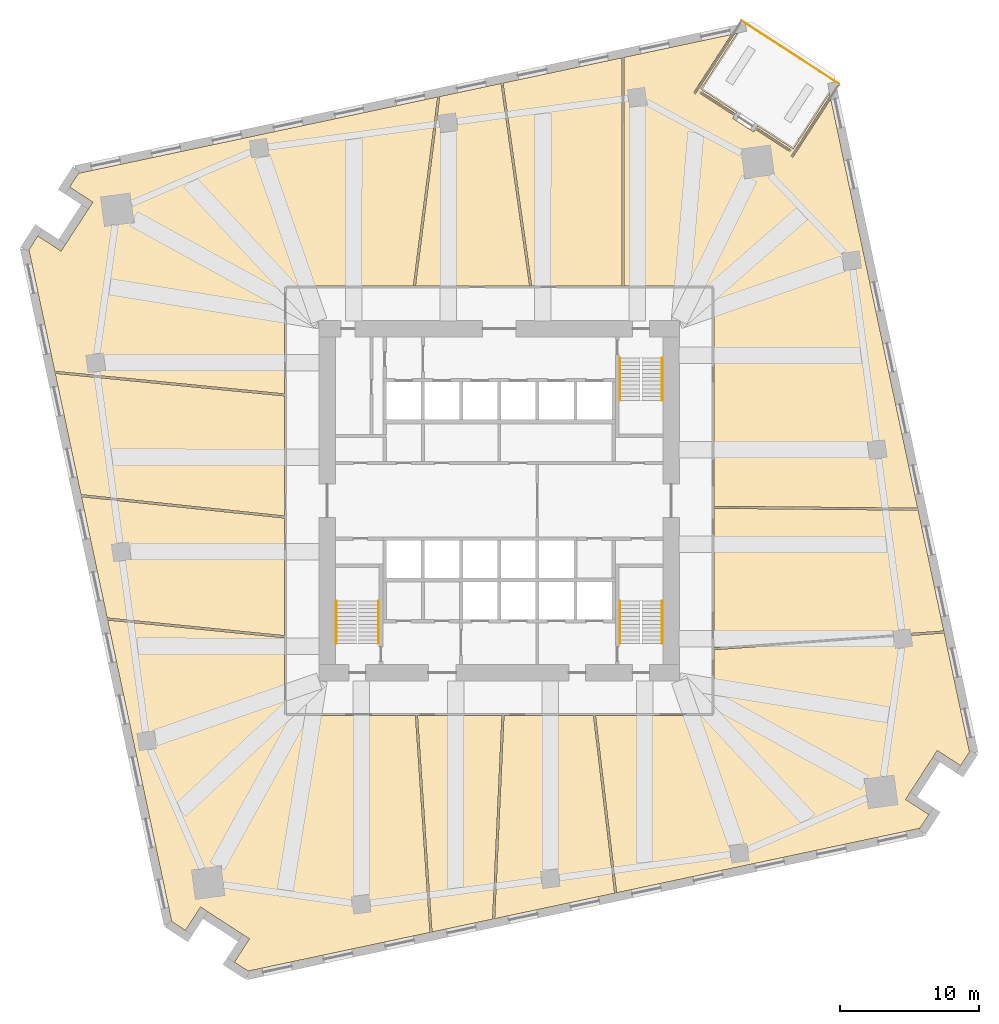
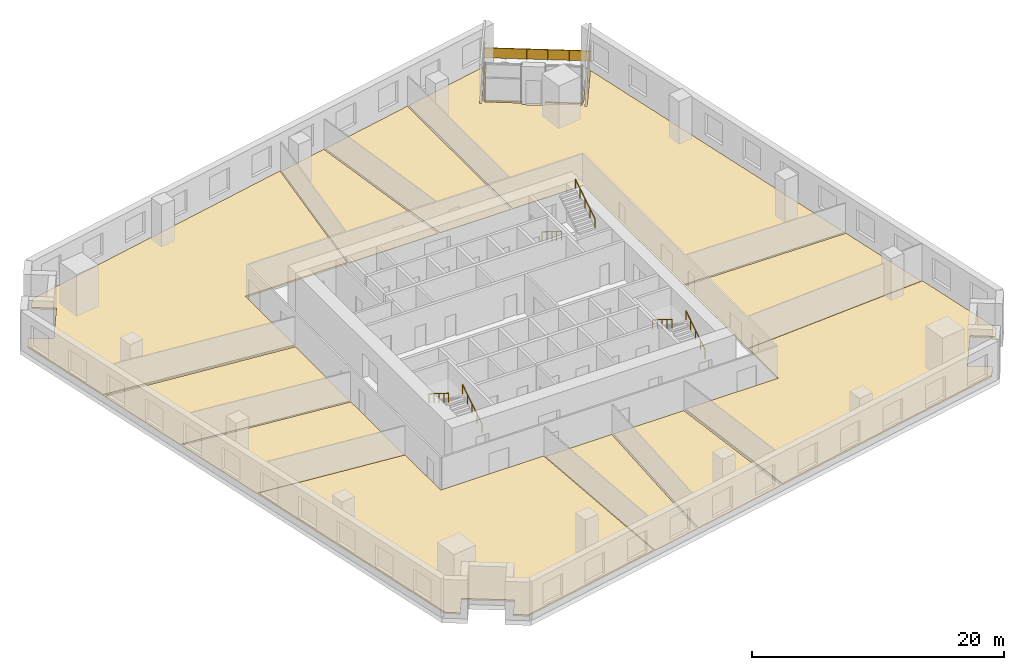
# One storey, part 9 of 10: 11 coverings, 7 railings.
"""IFC4 building model written with IfcOpenShell, lengths in metres."""

from ifc_helpers import new_model, si_unit, direction, frame, origin, origin_2d, place, context, subcontext, project, spatial, polyline, rectangle, circle, outline, extrude, material, layer, layer_set, type_object, element, save


model = new_model("IFC4")

# Units and contexts
model_context = context("Model", 3, precision=1e-05, world=origin(), true_north=direction((0.0, 1.0)))
body_context = subcontext(model_context, "Body", "Model", "MODEL_VIEW")
ifc_project = project(units=[si_unit("LENGTHUNIT", "METRE"), si_unit("AREAUNIT", "SQUARE_METRE"), si_unit("VOLUMEUNIT", "CUBIC_METRE"), si_unit("PLANEANGLEUNIT", "RADIAN"), si_unit("MASSUNIT", "GRAM", prefix="KILO")], contexts=[model_context])

# Site, building, storey
site_placement = place(None, origin())
site = spatial("IfcSite", under=ifc_project, at=site_placement, CompositionType="ELEMENT")
building_placement = place(site_placement, origin())
building = spatial("IfcBuilding", under=site, at=building_placement, Name="Dilmun Exchange Tower", CompositionType="ELEMENT")
storey_placement = place(building_placement, frame((0.0, 0.0, 68.10009765625)))
storey = spatial("IfcBuildingStorey", under=building, at=storey_placement, Name="L15", CompositionType="ELEMENT", Elevation=68.10009765625)

# Coverings
ifc_material_1 = material(Name="Carpet floor finish 50")
ifc_layer_1 = layer(ifc_material_1, 0.050048828125)
ifc_layer_set_1 = layer_set([ifc_layer_1], Name="Carpet floor finish 50")
covering_type_1 = type_object("IfcCoveringType", Name="Carpet floor finish 50", PredefinedType="FLOORING", material=ifc_layer_set_1)
covering_1_placement = place(storey_placement, origin())
element("IfcCovering", 1, at=covering_1_placement, inside=storey, type_object=covering_type_1, Name="Carpet floor finish 50 Clearing office 1", PredefinedType="FLOORING", context=body_context, shape_type="SweptSolid", body=[
    extrude(outline(polyline([(-15.47509765625, -1.09521484375), (-30.14892578125, 0.443603515625), (-32.007080078125, 9.185546875), (-15.47509765625, 7.555419921875), (-15.47509765625, -1.09521484375)])), origin(), (0.0, 0.0, 1.0), 0.0498046875),
])
covering_2_placement = place(storey_placement, origin())
element("IfcCovering", 2, at=covering_2_placement, inside=storey, type_object=covering_type_1, Name="Carpet floor finish 50 Broker office 1", PredefinedType="FLOORING", context=body_context, shape_type="SweptSolid", body=[
    extrude(outline(polyline([(-15.47509765625, -9.7197265625), (-28.259521484375, -8.4453125), (-30.1162109375, 0.289306640625), (-15.47509765625, -1.245849609375), (-15.47509765625, -9.7197265625)])), origin(), (0.0, 0.0, 1.0), 0.0498046875),
])
covering_3_placement = place(storey_placement, origin())
element("IfcCovering", 3, at=covering_3_placement, inside=storey, type_object=covering_type_1, Name="Carpet floor finish 50 Clearing office 2", PredefinedType="FLOORING", context=body_context, shape_type="SweptSolid", body=[
    extrude(outline(polyline([(-5.888671875, -15.47509765625), (0.1953125, -15.47509765625), (-0.4794921875, -30.156494140625), (-4.843994140625, -31.08447265625), (-5.888671875, -15.47509765625)])), origin(), (0.0, 0.0, 1.0), 0.0498046875),
])
covering_4_placement = place(storey_placement, origin())
element("IfcCovering", 4, at=covering_4_placement, inside=storey, type_object=covering_type_1, Name="Carpet floor finish 50 Settlement office", PredefinedType="FLOORING", context=body_context, shape_type="SweptSolid", body=[
    extrude(outline(polyline([(2.189453125, 15.47509765625), (-6.03759765625, 15.47509765625), (-4.28369140625, 29.144287109375), (0.130615234375, 30.08251953125), (2.189453125, 15.47509765625)])), origin(), (0.0, 0.0, 1.0), 0.0498046875),
])
covering_5_placement = place(storey_placement, origin())
element("IfcCovering", 5, at=covering_5_placement, inside=storey, type_object=covering_type_1, Name="Carpet floor finish 50 Broker office 2", PredefinedType="FLOORING", context=body_context, shape_type="SweptSolid", body=[
    extrude(outline(polyline([(6.79052734375, -15.47509765625), (8.31591796875, -28.287109375), (-0.32763671875, -30.12451171875), (0.345703125, -15.47509765625), (6.79052734375, -15.47509765625)])), origin(), (0.0, 0.0, 1.0), 0.0498046875),
])
covering_6_placement = place(storey_placement, origin())
element("IfcCovering", 6, at=covering_6_placement, inside=storey, type_object=covering_type_1, Name="Carpet floor finish 50 Broker office 3", PredefinedType="FLOORING", context=body_context, shape_type="SweptSolid", body=[
    extrude(outline(polyline([(2.3408203125, 15.47509765625), (0.277587890625, 30.11376953125), (8.849365234375, 31.935791015625), (8.859375, 15.47509765625), (2.3408203125, 15.47509765625)])), origin(), (0.0, 0.0, 1.0), 0.0498046875),
])
covering_7_placement = place(storey_placement, origin())
element("IfcCovering", 7, at=covering_7_placement, inside=storey, type_object=covering_type_1, Name="Carpet floor finish 50 Garden lounge", PredefinedType="FLOORING", context=body_context, shape_type="SweptSolid", body=[
    extrude(outline(polyline([(14.548095703125, 29.6806640625), (17.116455078125, 28.012939453125), (17.03857421875, 27.89306640625), (14.533203125, 29.52001953125), (14.533203125, 29.52001953125), (14.532958984375, 29.520263671875), (14.53271484375, 29.520263671875), (14.532470703125, 29.520263671875), (14.5322265625, 29.520263671875), (14.531982421875, 29.520263671875), (14.531982421875, 29.520263671875), (14.53173828125, 29.520263671875), (14.531494140625, 29.520263671875), (14.531494140625, 29.52001953125), (14.53125, 29.52001953125), (14.531005859375, 29.52001953125), (14.531005859375, 29.519775390625), (14.53076171875, 29.519775390625), (14.530517578125, 29.51953125), (14.530517578125, 29.519287109375), (14.443359375, 29.38525390625), (14.443359375, 29.385009765625), (14.443115234375, 29.384765625), (14.443115234375, 29.384765625), (14.443115234375, 29.384521484375), (14.443115234375, 29.38427734375), (14.443115234375, 29.384033203125), (14.443115234375, 29.3837890625), (14.443115234375, 29.3837890625), (14.443115234375, 29.383544921875), (14.443115234375, 29.38330078125), (14.443359375, 29.383056640625), (14.443359375, 29.383056640625), (14.443603515625, 29.3828125), (14.443603515625, 29.3828125), (14.44384765625, 29.382568359375), (14.44384765625, 29.38232421875), (16.94921875, 27.755615234375), (16.830322265625, 27.57275390625), (16.830322265625, 27.572509765625), (16.830078125, 27.572265625), (16.830078125, 27.572265625), (16.830078125, 27.572021484375), (16.830078125, 27.57177734375), (16.830078125, 27.571533203125), (16.830078125, 27.5712890625), (16.830078125, 27.5712890625), (16.830078125, 27.571044921875), (16.830322265625, 27.57080078125), (16.830322265625, 27.570556640625), (16.83056640625, 27.570556640625), (16.83056640625, 27.5703125), (16.830810546875, 27.5703125), (16.830810546875, 27.570068359375), (16.8310546875, 27.56982421875), (18.340576171875, 26.589599609375), (18.3408203125, 26.58935546875), (18.341064453125, 26.58935546875), (18.341064453125, 26.58935546875), (18.34130859375, 26.589111328125), (18.341552734375, 26.589111328125), (18.341796875, 26.589111328125), (18.341796875, 26.589111328125), (18.342041015625, 26.589111328125), (18.34228515625, 26.58935546875), (18.342529296875, 26.58935546875), (18.3427734375, 26.589599609375), (18.3427734375, 26.589599609375), (18.343017578125, 26.589599609375), (18.343017578125, 26.58984375), (18.34326171875, 26.590087890625), (18.343505859375, 26.590087890625), (18.462158203125, 26.77294921875), (20.96728515625, 25.14599609375), (20.96728515625, 25.14599609375), (20.967529296875, 25.14599609375), (20.9677734375, 25.14599609375), (20.968017578125, 25.145751953125), (20.96826171875, 25.145751953125), (20.968505859375, 25.145751953125), (20.968505859375, 25.145751953125), (20.96875, 25.145751953125), (20.968994140625, 25.14599609375), (20.968994140625, 25.14599609375), (20.96923828125, 25.14599609375), (20.969482421875, 25.146240234375), (20.969482421875, 25.146240234375), (20.9697265625, 25.146484375), (20.969970703125, 25.146484375), (20.969970703125, 25.146728515625), (21.05712890625, 25.281005859375), (21.05712890625, 25.281005859375), (21.057373046875, 25.28125), (21.057373046875, 25.281494140625), (21.057373046875, 25.281494140625), (21.0576171875, 25.28173828125), (21.0576171875, 25.281982421875), (21.0576171875, 25.2822265625), (21.057373046875, 25.282470703125), (21.057373046875, 25.28271484375), (21.057373046875, 25.28271484375), (21.05712890625, 25.282958984375), (21.05712890625, 25.283203125), (21.056884765625, 25.283203125), (21.056884765625, 25.283447265625), (21.056640625, 25.28369140625), (21.056640625, 25.28369140625), (18.551513671875, 26.910400390625), (18.62939453125, 27.030517578125), (21.197509765625, 25.36279296875), (23.808837890625, 29.38427734375), (23.85107421875, 29.186279296875), (21.03125, 24.844482421875), (21.03125, 24.844482421875), (21.031005859375, 24.84423828125), (21.031005859375, 24.843994140625), (21.031005859375, 24.84375), (21.031005859375, 24.843505859375), (21.031005859375, 24.843505859375), (21.031005859375, 24.84326171875), (21.031005859375, 24.843017578125), (21.031005859375, 24.843017578125), (21.03125, 24.8427734375), (21.03125, 24.842529296875), (21.031494140625, 24.84228515625), (21.031494140625, 24.84228515625), (21.031494140625, 24.842041015625), (21.03173828125, 24.841796875), (21.031982421875, 24.841796875), (21.166015625, 24.754638671875), (21.166259765625, 24.754638671875), (21.16650390625, 24.75439453125), (21.16650390625, 24.75439453125), (21.166748046875, 24.75439453125), (21.1669921875, 24.75439453125), (21.167236328125, 24.75439453125), (21.16748046875, 24.75439453125), (21.16748046875, 24.75439453125), (21.167724609375, 24.75439453125), (21.16796875, 24.75439453125), (21.168212890625, 24.754638671875), (21.168212890625, 24.754638671875), (21.16845703125, 24.7548828125), (21.168701171875, 24.7548828125), (21.168701171875, 24.755126953125), (21.1689453125, 24.755126953125), (23.899169921875, 28.95947265625), (30.167236328125, -0.529052734375), (15.47509765625, -0.395263671875), (15.47509765625, 15.47509765625), (9.00927734375, 15.47509765625), (8.999267578125, 31.967529296875), (16.735107421875, 33.61181640625), (14.0048828125, 29.40771484375), (14.004638671875, 29.407470703125), (14.004638671875, 29.4072265625), (14.004638671875, 29.406982421875), (14.00439453125, 29.40673828125), (14.00439453125, 29.406494140625), (14.00439453125, 29.406494140625), (14.00439453125, 29.40625), (14.00439453125, 29.406005859375), (14.004638671875, 29.406005859375), (14.004638671875, 29.40576171875), (14.0048828125, 29.405517578125), (14.0048828125, 29.4052734375), (14.0048828125, 29.4052734375), (14.005126953125, 29.405029296875), (14.00537109375, 29.40478515625), (14.00537109375, 29.40478515625), (14.1396484375, 29.317626953125), (14.139892578125, 29.317626953125), (14.139892578125, 29.3173828125), (14.14013671875, 29.3173828125), (14.140380859375, 29.3173828125), (14.140380859375, 29.3173828125), (14.140625, 29.3173828125), (14.140869140625, 29.3173828125), (14.14111328125, 29.3173828125), (14.141357421875, 29.3173828125), (14.1416015625, 29.3173828125), (14.1416015625, 29.317626953125), (14.141845703125, 29.317626953125), (14.14208984375, 29.31787109375), (14.14208984375, 29.31787109375), (14.142333984375, 29.318115234375), (14.142333984375, 29.318115234375), (16.9619140625, 33.66015625), (17.159912109375, 33.7021484375), (14.548095703125, 29.6806640625)])), origin(), (0.0, 0.0, 1.0), 0.0498046875),
])
covering_8_placement = place(storey_placement, origin())
element("IfcCovering", 8, at=covering_8_placement, inside=storey, type_object=covering_type_1, Name="Carpet floor finish 50 Broker office 4", PredefinedType="FLOORING", context=body_context, shape_type="SweptSolid", body=[
    extrude(outline(polyline([(15.47509765625, -10.589599609375), (15.47509765625, -0.545166015625), (30.19921875, -0.67919921875), (32.049072265625, -9.3828125), (15.47509765625, -10.589599609375)])), origin(), (0.0, 0.0, 1.0), 0.0498046875),
])
ifc_material_2 = material(Name="Raised access floor 150")
ifc_layer_2 = layer(ifc_material_2, 0.14990234375)
ifc_layer_set_2 = layer_set([ifc_layer_2], Name="Raised access floor 150")
covering_type_2 = type_object("IfcCoveringType", Name="Raised access floor 150", PredefinedType="FLOORING", material=ifc_layer_set_2)
covering_9_placement = place(storey_placement, origin())
element("IfcCovering", 9, at=covering_9_placement, inside=storey, type_object=covering_type_2, Name="Raised access floor 150 Market operations room 1", PredefinedType="FLOORING", context=body_context, shape_type="SweptSolid", body=[
    extrude(outline(polyline([(-6.18896484375, 15.47509765625), (-15.47509765625, 15.47509765625), (-15.47509765625, 7.7060546875), (-32.039794921875, 9.339599609375), (-33.901611328125, 18.09765625), (-33.256591796875, 19.0908203125), (-31.580810546875, 18.00244140625), (-31.580810546875, 18.00244140625), (-31.58056640625, 18.002197265625), (-31.580322265625, 18.002197265625), (-31.580078125, 18.002197265625), (-31.580078125, 18.002197265625), (-31.579833984375, 18.002197265625), (-31.57958984375, 18.002197265625), (-31.579345703125, 18.002197265625), (-31.5791015625, 18.002197265625), (-31.5791015625, 18.00244140625), (-31.578857421875, 18.00244140625), (-31.57861328125, 18.00244140625), (-31.57861328125, 18.002685546875), (-31.578369140625, 18.002685546875), (-31.578125, 18.0029296875), (-31.578125, 18.003173828125), (-31.25146484375, 18.506103515625), (-31.251220703125, 18.50634765625), (-29.617431640625, 21.022216796875), (-29.29052734375, 21.525390625), (-29.29052734375, 21.525634765625), (-29.29052734375, 21.52587890625), (-29.290283203125, 21.52587890625), (-29.290283203125, 21.526123046875), (-29.290283203125, 21.5263671875), (-29.290283203125, 21.526611328125), (-29.290283203125, 21.52685546875), (-29.290283203125, 21.527099609375), (-29.290283203125, 21.527099609375), (-29.29052734375, 21.52734375), (-29.29052734375, 21.527587890625), (-29.290771484375, 21.527587890625), (-29.290771484375, 21.52783203125), (-29.291015625, 21.528076171875), (-29.291015625, 21.5283203125), (-29.291259765625, 21.5283203125), (-30.966796875, 22.616455078125), (-30.322021484375, 23.609619140625), (-4.439208984375, 29.111083984375), (-6.18896484375, 15.47509765625)])), origin(), (0.0, 0.0, 1.0), 0.14990234375),
])
covering_10_placement = place(storey_placement, origin())
element("IfcCovering", 10, at=covering_10_placement, inside=storey, type_object=covering_type_2, Name="Raised access floor 150 Market operations room 2", PredefinedType="FLOORING", context=body_context, shape_type="SweptSolid", body=[
    extrude(outline(polyline([(-15.47509765625, -9.87060546875), (-15.47509765625, -15.47509765625), (-6.0390625, -15.47509765625), (-4.9921875, -31.115966796875), (-18.09765625, -33.901611328125), (-19.0908203125, -33.256591796875), (-18.00244140625, -31.580810546875), (-18.00244140625, -31.580810546875), (-18.002197265625, -31.58056640625), (-18.002197265625, -31.580322265625), (-18.002197265625, -31.580078125), (-18.002197265625, -31.580078125), (-18.002197265625, -31.579833984375), (-18.002197265625, -31.57958984375), (-18.002197265625, -31.579345703125), (-18.002197265625, -31.5791015625), (-18.00244140625, -31.5791015625), (-18.00244140625, -31.578857421875), (-18.00244140625, -31.57861328125), (-18.002685546875, -31.57861328125), (-18.002685546875, -31.578369140625), (-18.0029296875, -31.578125), (-18.003173828125, -31.578125), (-18.506103515625, -31.25146484375), (-18.50634765625, -31.251220703125), (-21.022216796875, -29.617431640625), (-21.525390625, -29.29052734375), (-21.525634765625, -29.29052734375), (-21.52587890625, -29.29052734375), (-21.52587890625, -29.290283203125), (-21.526123046875, -29.290283203125), (-21.5263671875, -29.290283203125), (-21.526611328125, -29.290283203125), (-21.52685546875, -29.290283203125), (-21.527099609375, -29.290283203125), (-21.527099609375, -29.290283203125), (-21.52734375, -29.29052734375), (-21.527587890625, -29.29052734375), (-21.527587890625, -29.290771484375), (-21.52783203125, -29.290771484375), (-21.528076171875, -29.291015625), (-21.5283203125, -29.291015625), (-21.5283203125, -29.291259765625), (-22.616455078125, -30.966796875), (-23.609619140625, -30.322021484375), (-28.226806640625, -8.599365234375), (-15.47509765625, -9.87060546875)])), origin(), (0.0, 0.0, 1.0), 0.14990234375),
])
covering_11_placement = place(storey_placement, origin())
element("IfcCovering", 11, at=covering_11_placement, inside=storey, type_object=covering_type_2, Name="Raised access floor 150 Market operations room 3", PredefinedType="FLOORING", context=body_context, shape_type="SweptSolid", body=[
    extrude(outline(polyline([(6.941650390625, -15.47509765625), (15.47509765625, -15.47509765625), (15.47509765625, -10.739990234375), (32.08056640625, -9.53076171875), (33.901611328125, -18.09765625), (33.256591796875, -19.0908203125), (31.580810546875, -18.00244140625), (31.580810546875, -18.00244140625), (31.58056640625, -18.002197265625), (31.580322265625, -18.002197265625), (31.580078125, -18.002197265625), (31.580078125, -18.002197265625), (31.579833984375, -18.002197265625), (31.57958984375, -18.002197265625), (31.579345703125, -18.002197265625), (31.5791015625, -18.002197265625), (31.5791015625, -18.00244140625), (31.578857421875, -18.00244140625), (31.57861328125, -18.00244140625), (31.57861328125, -18.002685546875), (31.578369140625, -18.002685546875), (31.578125, -18.0029296875), (31.578125, -18.003173828125), (31.25146484375, -18.506103515625), (31.251220703125, -18.50634765625), (29.617431640625, -21.022216796875), (29.29052734375, -21.525390625), (29.29052734375, -21.525634765625), (29.29052734375, -21.52587890625), (29.290283203125, -21.52587890625), (29.290283203125, -21.526123046875), (29.290283203125, -21.5263671875), (29.290283203125, -21.526611328125), (29.290283203125, -21.52685546875), (29.290283203125, -21.527099609375), (29.290283203125, -21.527099609375), (29.29052734375, -21.52734375), (29.29052734375, -21.527587890625), (29.290771484375, -21.527587890625), (29.290771484375, -21.52783203125), (29.291015625, -21.528076171875), (29.291015625, -21.5283203125), (29.291259765625, -21.5283203125), (30.966796875, -22.616455078125), (30.322021484375, -23.609619140625), (8.46337890625, -28.255859375), (6.941650390625, -15.47509765625)])), origin(), (0.0, 0.0, 1.0), 0.14990234375),
])

# Railings
ifc_material_3 = material(Name="Stainless steel", Category="steel")
railing_type_1 = type_object("IfcRailingType", Name="Stair handrail 900", PredefinedType="HANDRAIL", material=ifc_material_3)
railing_1_placement = place(storey_placement, frame((8.699951171875, 10.300048828125, 0.1748046875)))
element("IfcRailing", 12, at=railing_1_placement, inside=storey, type_object=railing_type_1, Name="L15 ST1 stair handrail 1", PredefinedType="HANDRAIL", context=body_context, shape_type="SweptSolid", body=[
    extrude(circle(Radius=0.02392578125, at=origin_2d()), frame((0.0, 0.0, 0.8759765625), z_axis=(0.0, -0.847998304005, 0.529998940003), x_axis=(1.0, 0.0, 0.0)), (0.0, 0.0, 1.0), 3.632080078125),
    extrude(circle(Radius=0.02099609375, at=origin_2d()), origin(), (0.0, 0.0, 1.0), 0.851806640625),
    extrude(circle(Radius=0.02099609375, at=origin_2d()), frame((0.0, -0.77001953125, 0.481201171875)), (0.0, 0.0, 1.0), 0.851806640625),
    extrude(circle(Radius=0.02099609375, at=origin_2d()), frame((0.0, -1.5400390625, 0.96240234375)), (0.0, 0.0, 1.0), 0.851806640625),
    extrude(circle(Radius=0.02099609375, at=origin_2d()), frame((0.0, -2.31005859375, 1.44384765625)), (0.0, 0.0, 1.0), 0.851806640625),
    extrude(circle(Radius=0.02099609375, at=origin_2d()), frame((0.0, -3.080078125, 1.925048828125)), (0.0, 0.0, 1.0), 0.851806640625),
])
for number, where, name in (
    (13, (11.75, 7.219970703125, 2.27490234375), "L15 ST1 stair handrail 2"),
    (14, (-8.699951171875, -10.300048828125, 0.1748046875), "L15 ST2 stair handrail 1"),
):
    element("IfcRailing", number, at=place(storey_placement, frame(where)), inside=storey, type_object=railing_type_1, Name=name, PredefinedType="HANDRAIL", context=body_context, shape_type="SweptSolid", body=[
        extrude(circle(Radius=0.02392578125, at=origin_2d()), frame((0.0, 0.0, 0.8759765625), z_axis=(0.0, 0.847998304005, 0.529998940003), x_axis=(-1.0, 0.0, 0.0)), (0.0, 0.0, 1.0), 3.632080078125),
        extrude(circle(Radius=0.02099609375, at=origin_2d()), origin(), (0.0, 0.0, 1.0), 0.851806640625),
        extrude(circle(Radius=0.02099609375, at=origin_2d()), frame((0.0, 0.77001953125, 0.481201171875)), (0.0, 0.0, 1.0), 0.851806640625),
        extrude(circle(Radius=0.02099609375, at=origin_2d()), frame((0.0, 1.5400390625, 0.96240234375)), (0.0, 0.0, 1.0), 0.851806640625),
        extrude(circle(Radius=0.02099609375, at=origin_2d()), frame((0.0, 2.31005859375, 1.44384765625)), (0.0, 0.0, 1.0), 0.851806640625),
        extrude(circle(Radius=0.02099609375, at=origin_2d()), frame((0.0, 3.080078125, 1.925048828125)), (0.0, 0.0, 1.0), 0.851806640625),
    ])
railing_2_placement = place(storey_placement, frame((-11.75, -7.219970703125, 2.27490234375)))
element("IfcRailing", 15, at=railing_2_placement, inside=storey, type_object=railing_type_1, Name="L15 ST2 stair handrail 2", PredefinedType="HANDRAIL", context=body_context, shape_type="SweptSolid", body=[
    extrude(circle(Radius=0.02392578125, at=origin_2d()), frame((0.0, 0.0, 0.8759765625), z_axis=(0.0, -0.847998304005, 0.529998940003), x_axis=(1.0, 0.0, 0.0)), (0.0, 0.0, 1.0), 3.632080078125),
    extrude(circle(Radius=0.02099609375, at=origin_2d()), origin(), (0.0, 0.0, 1.0), 0.851806640625),
    extrude(circle(Radius=0.02099609375, at=origin_2d()), frame((0.0, -0.77001953125, 0.481201171875)), (0.0, 0.0, 1.0), 0.851806640625),
    extrude(circle(Radius=0.02099609375, at=origin_2d()), frame((0.0, -1.5400390625, 0.96240234375)), (0.0, 0.0, 1.0), 0.851806640625),
    extrude(circle(Radius=0.02099609375, at=origin_2d()), frame((0.0, -2.31005859375, 1.44384765625)), (0.0, 0.0, 1.0), 0.851806640625),
    extrude(circle(Radius=0.02099609375, at=origin_2d()), frame((0.0, -3.080078125, 1.925048828125)), (0.0, 0.0, 1.0), 0.851806640625),
])
railing_3_placement = place(storey_placement, frame((11.75, -10.300048828125, 0.1748046875)))
element("IfcRailing", 16, at=railing_3_placement, inside=storey, type_object=railing_type_1, Name="L15 ST3 stair handrail 1", PredefinedType="HANDRAIL", context=body_context, shape_type="SweptSolid", body=[
    extrude(circle(Radius=0.02392578125, at=origin_2d()), frame((0.0, 0.0, 0.8759765625), z_axis=(0.0, 0.847998304005, 0.529998940003), x_axis=(-1.0, 0.0, 0.0)), (0.0, 0.0, 1.0), 3.632080078125),
    extrude(circle(Radius=0.02099609375, at=origin_2d()), origin(), (0.0, 0.0, 1.0), 0.851806640625),
    extrude(circle(Radius=0.02099609375, at=origin_2d()), frame((0.0, 0.77001953125, 0.481201171875)), (0.0, 0.0, 1.0), 0.851806640625),
    extrude(circle(Radius=0.02099609375, at=origin_2d()), frame((0.0, 1.5400390625, 0.96240234375)), (0.0, 0.0, 1.0), 0.851806640625),
    extrude(circle(Radius=0.02099609375, at=origin_2d()), frame((0.0, 2.31005859375, 1.44384765625)), (0.0, 0.0, 1.0), 0.851806640625),
    extrude(circle(Radius=0.02099609375, at=origin_2d()), frame((0.0, 3.080078125, 1.925048828125)), (0.0, 0.0, 1.0), 0.851806640625),
])
railing_4_placement = place(storey_placement, frame((8.699951171875, -7.219970703125, 2.27490234375)))
element("IfcRailing", 17, at=railing_4_placement, inside=storey, type_object=railing_type_1, Name="L15 ST3 stair handrail 2", PredefinedType="HANDRAIL", context=body_context, shape_type="SweptSolid", body=[
    extrude(circle(Radius=0.02392578125, at=origin_2d()), frame((0.0, 0.0, 0.8759765625), z_axis=(0.0, -0.847998304005, 0.529998940003), x_axis=(1.0, 0.0, 0.0)), (0.0, 0.0, 1.0), 3.632080078125),
    extrude(circle(Radius=0.02099609375, at=origin_2d()), origin(), (0.0, 0.0, 1.0), 0.851806640625),
    extrude(circle(Radius=0.02099609375, at=origin_2d()), frame((0.0, -0.77001953125, 0.481201171875)), (0.0, 0.0, 1.0), 0.851806640625),
    extrude(circle(Radius=0.02099609375, at=origin_2d()), frame((0.0, -1.5400390625, 0.96240234375)), (0.0, 0.0, 1.0), 0.851806640625),
    extrude(circle(Radius=0.02099609375, at=origin_2d()), frame((0.0, -2.31005859375, 1.44384765625)), (0.0, 0.0, 1.0), 0.851806640625),
    extrude(circle(Radius=0.02099609375, at=origin_2d()), frame((0.0, -3.080078125, 1.925048828125)), (0.0, 0.0, 1.0), 0.851806640625),
])
railing_type_2 = type_object("IfcRailingType", Name="Terrace guard 1100 stainless steel", PredefinedType="GUARDRAIL", material=ifc_material_3)
railing_5_placement = place(storey_placement, frame((17.4755859375, 34.601806640625, 0.0)))
element("IfcRailing", 18, at=railing_5_placement, inside=storey, type_object=railing_type_2, Name="Terrace guard 1", PredefinedType="GUARDRAIL", context=body_context, shape_type="SweptSolid", body=[
    extrude(circle(Radius=0.02392578125, at=origin_2d()), frame((0.0, 0.0, 1.076171875), z_axis=(0.838665243045, -0.544647234556, 0.0), x_axis=(0.544647234556, 0.838665243045, 0.0)), (0.0, 0.0, 1.0), 8.37841796875),
    extrude(rectangle(XDim=0.011962890625, YDim=0.951904296875, at=origin_2d()), frame((0.0, 0.0, 0.576171875), z_axis=(0.838665243045, -0.544647234556, 0.0), x_axis=(0.544647234556, 0.838665243045, 0.0)), (0.0, 0.0, 1.0), 8.37841796875),
    extrude(circle(Radius=0.02099609375, at=origin_2d()), origin(), (0.0, 0.0, 1.0), 1.052001953125),
    extrude(circle(Radius=0.02099609375, at=origin_2d()), frame((1.4052734375, -0.91259765625, 0.0)), (0.0, 0.0, 1.0), 1.052001953125),
    extrude(circle(Radius=0.02099609375, at=origin_2d()), frame((2.810546875, -1.8251953125, 0.0)), (0.0, 0.0, 1.0), 1.052001953125),
    extrude(circle(Radius=0.02099609375, at=origin_2d()), frame((4.216064453125, -2.738037109375, 0.0)), (0.0, 0.0, 1.0), 1.052001953125),
    extrude(circle(Radius=0.02099609375, at=origin_2d()), frame((5.621337890625, -3.650634765625, 0.0)), (0.0, 0.0, 1.0), 1.052001953125),
    extrude(circle(Radius=0.02099609375, at=origin_2d()), frame((7.026611328125, -4.563232421875, 0.0)), (0.0, 0.0, 1.0), 1.052001953125),
])

save(model, "model.ifc")
